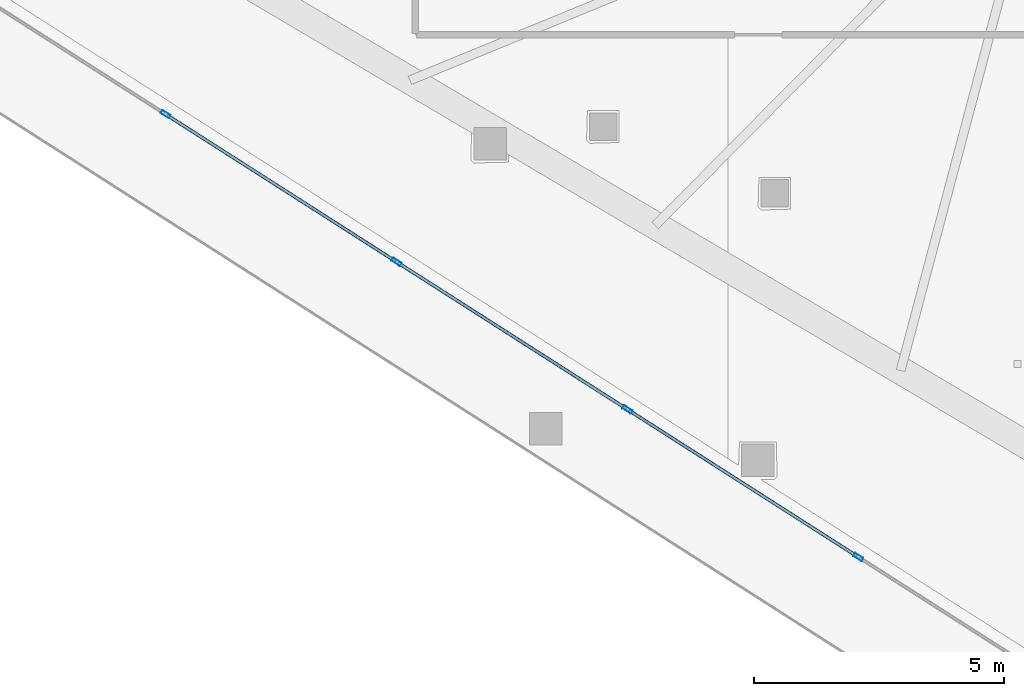
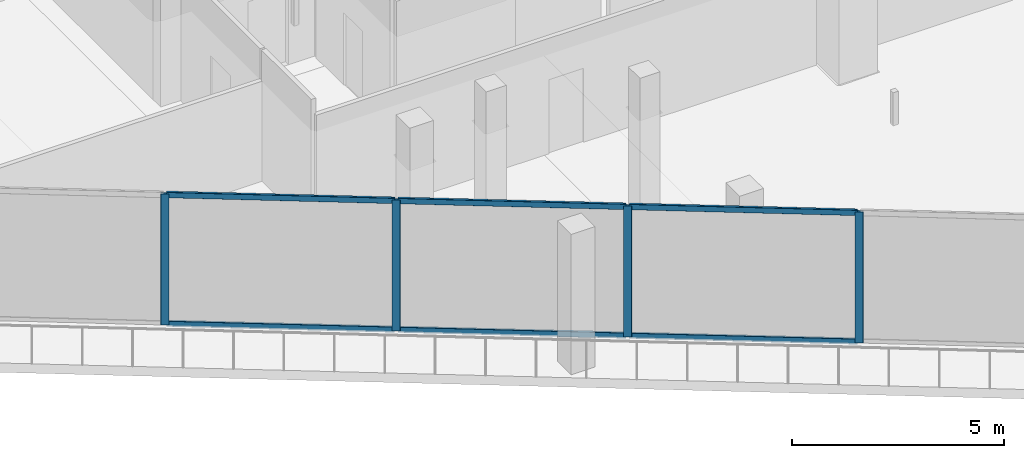
# One storey, part 2 of 39: 10 members, 1 element without a shape of its own.
"""IFC4 building model written with IfcOpenShell, lengths in metres."""

from ifc_helpers import new_model, si_unit, direction, frame, origin, origin_2d, place, context, subcontext, project, spatial, hollow_rectangle, extrude, material, layer, layer_set, material_profile, profile_set, type_object, element, aggregate, save


model = new_model("IFC4")

# Units and contexts
model_context = context("Model", 3, precision=1e-05, world=origin(), true_north=direction((0.0, 1.0)))
body_context = subcontext(model_context, "Body", "Model", "MODEL_VIEW")
ifc_project = project(units=[si_unit("LENGTHUNIT", "METRE"), si_unit("AREAUNIT", "SQUARE_METRE"), si_unit("VOLUMEUNIT", "CUBIC_METRE"), si_unit("PLANEANGLEUNIT", "RADIAN"), si_unit("MASSUNIT", "GRAM", prefix="KILO")], contexts=[model_context])

# Site, building, storey
site_placement = place(None, origin())
site = spatial("IfcSite", under=ifc_project, at=site_placement, CompositionType="ELEMENT")
building_placement = place(site_placement, origin())
building = spatial("IfcBuilding", under=site, at=building_placement, Name="Qorvath Tower", CompositionType="ELEMENT")
storey_placement = place(building_placement, frame((0.0, 0.0, 154.35009765625)))
storey = spatial("IfcBuildingStorey", under=building, at=storey_placement, Name="L35", CompositionType="ELEMENT", Elevation=154.35009765625)

# Curtain wall, members
ifc_material_1 = material(Name="Anodised aluminium and triple low-E glass", Category="aluminium")
ifc_layer = layer(ifc_material_1, 0.179931640625)
ifc_layer_set = layer_set([ifc_layer], Name="CW-SYS-5")
curtain_wall_type = type_object("IfcCurtainWallType", Name="CW-SYS-5", PredefinedType="NOTDEFINED", material=ifc_layer_set)
curtain_wall_placement = place(storey_placement, origin())
curtain_wall = element("IfcCurtainWall", 1, at=curtain_wall_placement, inside=storey, type_object=curtain_wall_type, Name="Curtain Wall CW-5 CW-T-L35-18.1", PredefinedType="NOTDEFINED")
ifc_material_2 = material(Name="Anodised aluminium 6063-T6", Category="aluminium")
ifc_material_profile_1 = material_profile(ifc_material_2, hollow_rectangle(XDim=0.074951171875, YDim=0.199951171875, WallThickness=0.00390625, InnerFilletRadius=0.00390625, OuterFilletRadius=0.008056640625, at=origin_2d()), Name="CWM 200x75")
ifc_profile_set_1 = profile_set([ifc_material_profile_1], Name="Anodised aluminium 6063-T6")
member_type_1 = type_object("IfcMemberType", Name="CWM-200", PredefinedType="MULLION", material=ifc_profile_set_1)
member_1_placement = place(storey_placement, frame((-42.846435546875, -12.547119140625, 0.0), z_axis=(0.0, 0.0, 1.0), x_axis=(0.538536247531, 0.842602343989, 0.0)))
member_1 = element("IfcMember", 2, at=member_1_placement, type_object=member_type_1, Name="CW-5 mullion 4", PredefinedType="MULLION", context=body_context, shape_type="SweptSolid", body=[
    extrude(hollow_rectangle(XDim=0.074951171875, YDim=0.199951171875, WallThickness=0.00390625, InnerFilletRadius=0.00390625, OuterFilletRadius=0.008056640625, at=origin_2d()), origin(), (0.0, 0.0, 1.0), 3.77978515625),
])
member_2_placement = place(storey_placement, frame((-38.23388671875, -15.4951171875, 0.0), z_axis=(0.0, 0.0, 1.0), x_axis=(0.538536247531, 0.842602343989, 0.0)))
member_2 = element("IfcMember", 3, at=member_2_placement, type_object=member_type_1, Name="CW-5 mullion 5", PredefinedType="MULLION", context=body_context, shape_type="SweptSolid", body=[
    extrude(hollow_rectangle(XDim=0.074951171875, YDim=0.199951171875, WallThickness=0.00390625, InnerFilletRadius=0.00390625, OuterFilletRadius=0.008056640625, at=origin_2d()), origin(), (0.0, 0.0, 1.0), 3.77978515625),
])
member_3_placement = place(storey_placement, frame((-33.621337890625, -18.443115234375, 0.0), z_axis=(0.0, 0.0, 1.0), x_axis=(0.538536247531, 0.842602343989, 0.0)))
member_3 = element("IfcMember", 4, at=member_3_placement, type_object=member_type_1, Name="CW-5 mullion 6", PredefinedType="MULLION", context=body_context, shape_type="SweptSolid", body=[
    extrude(hollow_rectangle(XDim=0.074951171875, YDim=0.199951171875, WallThickness=0.00390625, InnerFilletRadius=0.00390625, OuterFilletRadius=0.008056640625, at=origin_2d()), origin(), (0.0, 0.0, 1.0), 3.77978515625),
])
member_4_placement = place(storey_placement, frame((-29.0087890625, -21.39111328125, 0.0), z_axis=(0.0, 0.0, 1.0), x_axis=(0.538536247531, 0.842602343989, 0.0)))
member_4 = element("IfcMember", 5, at=member_4_placement, type_object=member_type_1, Name="CW-5 mullion 7", PredefinedType="MULLION", context=body_context, shape_type="SweptSolid", body=[
    extrude(hollow_rectangle(XDim=0.074951171875, YDim=0.199951171875, WallThickness=0.00390625, InnerFilletRadius=0.00390625, OuterFilletRadius=0.008056640625, at=origin_2d()), origin(), (0.0, 0.0, 1.0), 3.77978515625),
])
ifc_material_3 = material(Name="Anodised aluminium 6063-T6", Category="aluminium")
ifc_material_profile_2 = material_profile(ifc_material_3, hollow_rectangle(XDim=0.06494140625, YDim=0.159912109375, WallThickness=0.00341796875, InnerFilletRadius=0.00341796875, OuterFilletRadius=0.007080078125, at=origin_2d()), Name="CWT 160x65")
ifc_profile_set_2 = profile_set([ifc_material_profile_2], Name="Anodised aluminium 6063-T6")
member_type_2 = type_object("IfcMemberType", Name="CWT-160", PredefinedType="USERDEFINED", material=ifc_profile_set_2)
member_5_placement = place(storey_placement, frame((-42.814697265625, -12.5673828125, 0.032470703125), z_axis=(0.842615326436, -0.538515934449, 0.0), x_axis=(0.538515934449, 0.842615326436, 0.0)))
member_5 = element("IfcMember", 6, at=member_5_placement, type_object=member_type_2, Name="CW-5 transom 4.1", ObjectType="TRANSOM", PredefinedType="USERDEFINED", context=body_context, shape_type="SweptSolid", body=[
    extrude(hollow_rectangle(XDim=0.06494140625, YDim=0.159912109375, WallThickness=0.00341796875, InnerFilletRadius=0.00341796875, OuterFilletRadius=0.007080078125, at=origin_2d()), origin(), (0.0, 0.0, 1.0), 5.39892578125),
])
member_6_placement = place(storey_placement, frame((-42.814697265625, -12.5673828125, 3.747314453125), z_axis=(0.842615326436, -0.538515934449, 0.0), x_axis=(0.538515934449, 0.842615326436, 0.0)))
member_6 = element("IfcMember", 7, at=member_6_placement, type_object=member_type_2, Name="CW-5 transom 4.2", ObjectType="TRANSOM", PredefinedType="USERDEFINED", context=body_context, shape_type="SweptSolid", body=[
    extrude(hollow_rectangle(XDim=0.06494140625, YDim=0.159912109375, WallThickness=0.00341796875, InnerFilletRadius=0.00341796875, OuterFilletRadius=0.007080078125, at=origin_2d()), origin(), (0.0, 0.0, 1.0), 5.39892578125),
])
member_7_placement = place(storey_placement, frame((-38.2021484375, -15.515380859375, 0.032470703125), z_axis=(0.842602212133, -0.538536453834, 0.0), x_axis=(0.538536453834, 0.842602212133, 0.0)))
member_7 = element("IfcMember", 8, at=member_7_placement, type_object=member_type_2, Name="CW-5 transom 5.1", ObjectType="TRANSOM", PredefinedType="USERDEFINED", context=body_context, shape_type="SweptSolid", body=[
    extrude(hollow_rectangle(XDim=0.06494140625, YDim=0.159912109375, WallThickness=0.00341796875, InnerFilletRadius=0.00341796875, OuterFilletRadius=0.007080078125, at=origin_2d()), origin(), (0.0, 0.0, 1.0), 5.39892578125),
])
member_8_placement = place(storey_placement, frame((-38.2021484375, -15.515380859375, 3.747314453125), z_axis=(0.842602212133, -0.538536453834, 0.0), x_axis=(0.538536453834, 0.842602212133, 0.0)))
member_8 = element("IfcMember", 9, at=member_8_placement, type_object=member_type_2, Name="CW-5 transom 5.2", ObjectType="TRANSOM", PredefinedType="USERDEFINED", context=body_context, shape_type="SweptSolid", body=[
    extrude(hollow_rectangle(XDim=0.06494140625, YDim=0.159912109375, WallThickness=0.00341796875, InnerFilletRadius=0.00341796875, OuterFilletRadius=0.007080078125, at=origin_2d()), origin(), (0.0, 0.0, 1.0), 5.39892578125),
])
member_9_placement = place(storey_placement, frame((-33.58984375, -18.46337890625, 0.032470703125), z_axis=(0.842615326436, -0.538515934449, 0.0), x_axis=(0.538515934449, 0.842615326436, 0.0)))
member_9 = element("IfcMember", 10, at=member_9_placement, type_object=member_type_2, Name="CW-5 transom 6.1", ObjectType="TRANSOM", PredefinedType="USERDEFINED", context=body_context, shape_type="SweptSolid", body=[
    extrude(hollow_rectangle(XDim=0.06494140625, YDim=0.159912109375, WallThickness=0.00341796875, InnerFilletRadius=0.00341796875, OuterFilletRadius=0.007080078125, at=origin_2d()), origin(), (0.0, 0.0, 1.0), 5.39892578125),
])
member_10_placement = place(storey_placement, frame((-33.58984375, -18.46337890625, 3.747314453125), z_axis=(0.842615326436, -0.538515934449, 0.0), x_axis=(0.538515934449, 0.842615326436, 0.0)))
member_10 = element("IfcMember", 11, at=member_10_placement, type_object=member_type_2, Name="CW-5 transom 6.2", ObjectType="TRANSOM", PredefinedType="USERDEFINED", context=body_context, shape_type="SweptSolid", body=[
    extrude(hollow_rectangle(XDim=0.06494140625, YDim=0.159912109375, WallThickness=0.00341796875, InnerFilletRadius=0.00341796875, OuterFilletRadius=0.007080078125, at=origin_2d()), origin(), (0.0, 0.0, 1.0), 5.39892578125),
])
aggregate(curtain_wall, [member_1, member_2, member_3, member_4, member_5, member_6, member_7, member_8, member_9, member_10])

save(model, "model.ifc")
